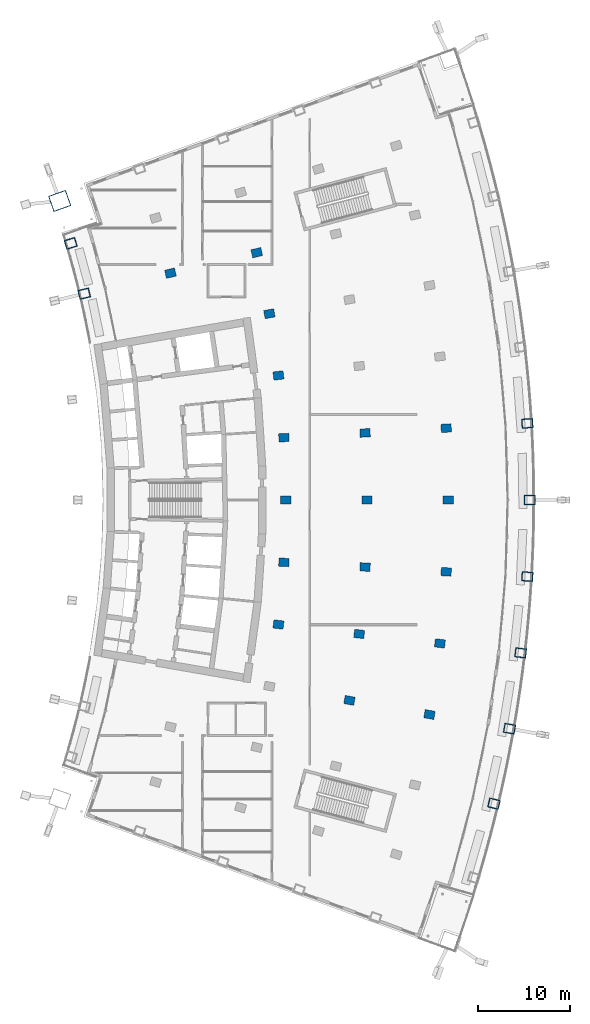
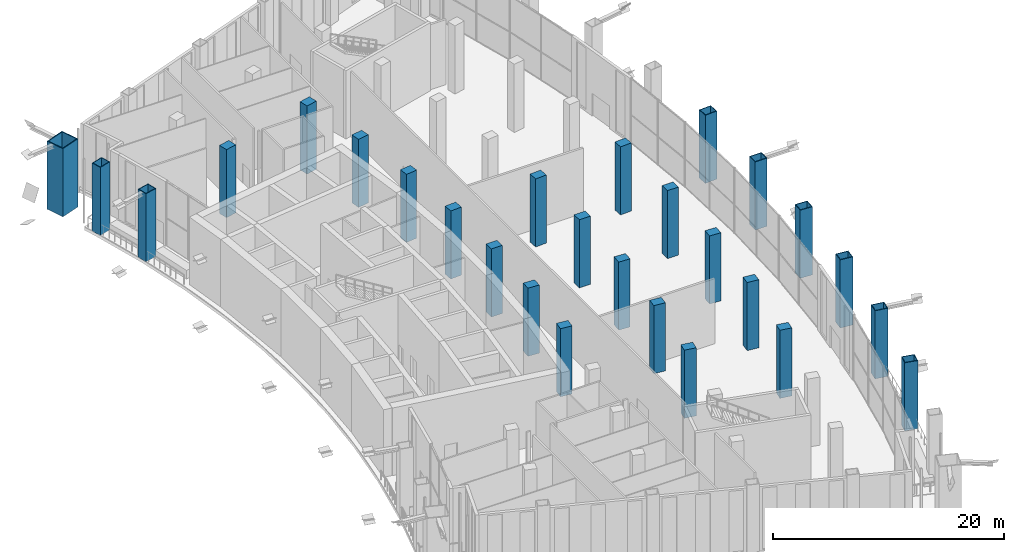
# One storey, part 5 of 27: 27 columns.
"""IFC4 building model written with IfcOpenShell, lengths in metres."""

import ifcopenshell
import ifcopenshell.guid

model = None  # the IFC model being written
_history = None  # IfcOwnerHistory: only IFC2X3 demands one
_inside = {}  # id of a spatial element -> (the spatial element, [elements in it])
_under = {}  # id of a project, library or spatial element -> (it, [spatial elements below it])
_declared = {}  # id of a project -> (the project, [libraries it declares])
_typed = {}  # id of a type object -> (the type object, [elements of that type])
_made_of = {}  # id of a material, layer set ... -> (it, [elements and type objects made of it])


def new_model(schema):
    """Start an empty IFC model of exactly this schema.

    Asked for "IFC4X3", IfcOpenShell would pick the latest addendum, in which some entities
    have other attributes; the version numbers below select the first issue.
    IFC2X3 requires an IfcOwnerHistory on every rooted entity: one is made here for all.
    """
    global model, _history
    if schema == "IFC4X3":
        model = ifcopenshell.file(schema_version=(4, 3, 0, 0))
    else:
        model = ifcopenshell.file(schema=schema)
    _inside.clear()
    _under.clear()
    _declared.clear()
    _typed.clear()
    _made_of.clear()
    _history = None
    if model.schema == "IFC2X3":
        org = make("IfcOrganization", Name="unknown")
        user = make(
            "IfcPersonAndOrganization",
            ThePerson=make("IfcPerson", FamilyName="unknown"),
            TheOrganization=org,
        )
        app = make(
            "IfcApplication",
            ApplicationDeveloper=org,
            Version="unknown",
            ApplicationFullName="unknown",
            ApplicationIdentifier="unknown",
        )
        _history = make(
            "IfcOwnerHistory",
            OwningUser=user,
            OwningApplication=app,
            ChangeAction="ADDED",
            CreationDate=0,
        )
    return model


def make(cls, **values):
    """One entity of the class cls with the attributes given. An attribute that is None is left unset."""
    return model.create_entity(
        cls, **{name: value for name, value in values.items() if value is not None}
    )


def rooted(cls, **values):
    """An entity with a GlobalId (a new one), such as an element, a storey or a relation."""
    return make(cls, GlobalId=ifcopenshell.guid.new(), OwnerHistory=_history, **values)


def si_unit(unit_type, name, prefix=None):
    """IfcSIUnit, for example si_unit("LENGTHUNIT", "METRE", prefix="MILLI")."""
    return make("IfcSIUnit", UnitType=unit_type, Prefix=prefix, Name=name)


def assignment(units):
    """IfcUnitAssignment: the units of a project."""
    return None if units is None else make("IfcUnitAssignment", Units=units)


def point(xyz):
    """IfcCartesianPoint."""
    return None if xyz is None else make("IfcCartesianPoint", Coordinates=xyz)


def direction(xyz):
    """IfcDirection."""
    return None if xyz is None else make("IfcDirection", DirectionRatios=xyz)


def frame(location, z_axis=None, x_axis=None):
    """IfcAxis2Placement3D, a coordinate frame: its origin and axes. An axis left out is left unset."""
    return make(
        "IfcAxis2Placement3D",
        Location=point(location),
        Axis=direction(z_axis),
        RefDirection=direction(x_axis),
    )


def frame_2d(location, x_axis=None):
    """IfcAxis2Placement2D, a coordinate frame in the plane: its origin and x axis."""
    return make(
        "IfcAxis2Placement2D", Location=point(location), RefDirection=direction(x_axis)
    )


def origin():
    """The frame at (0, 0, 0) with its axes left unset."""
    return frame((0.0, 0.0, 0.0))


def origin_2d():
    """The frame at (0, 0) in the plane with its x axis left unset."""
    return frame_2d((0.0, 0.0))


def place(relative_to, where):
    """IfcLocalPlacement: puts the frame where relative to a parent placement (None: the world)."""
    return make(
        "IfcLocalPlacement", PlacementRelTo=relative_to, RelativePlacement=where
    )


def context(
    kind, dimensions, precision=None, world=None, true_north=None, identifier=None
):
    """IfcGeometricRepresentationContext, for example the 3D "Model" context."""
    return make(
        "IfcGeometricRepresentationContext",
        ContextIdentifier=identifier,
        ContextType=kind,
        CoordinateSpaceDimension=dimensions,
        Precision=precision,
        WorldCoordinateSystem=world,
        TrueNorth=true_north,
    )


def subcontext(parent, identifier, kind, view, scale=None):
    """IfcGeometricRepresentationSubContext, for example "Body" below "Model"."""
    return make(
        "IfcGeometricRepresentationSubContext",
        ContextIdentifier=identifier,
        ContextType=kind,
        ParentContext=parent,
        TargetScale=scale,
        TargetView=view,
    )


def project(units=None, contexts=None):
    """IfcProject with its units and contexts."""
    return rooted(
        "IfcProject",
        Name="project",
        RepresentationContexts=contexts,
        UnitsInContext=assignment(units),
    )


def spatial(cls, under=None, at=None, **own):
    """A site, building, storey or space (cls), placed at a placement, below another one or the project."""
    s = rooted(cls, ObjectPlacement=at, **own)
    if under is not None:
        _under.setdefault(under.id(), (under, []))[1].append(s)
    return s


def profile(cls, at=None, kind="AREA", **sizes):
    """A parametric profile (cls). Its sizes go by their IFC names, for example OverallWidth=200.0."""
    return make(cls, ProfileType=kind, Position=at, **sizes)


def rectangle(**sizes):
    """IfcRectangleProfileDef."""
    return profile("IfcRectangleProfileDef", **sizes)


def hollow_rectangle(**sizes):
    """IfcRectangleHollowProfileDef."""
    return profile("IfcRectangleHollowProfileDef", **sizes)


def extrude(swept, where, along, depth):
    """IfcExtrudedAreaSolid: the profile swept, set in the frame where, extruded along a direction by depth."""
    return make(
        "IfcExtrudedAreaSolid",
        SweptArea=swept,
        Position=where,
        ExtrudedDirection=direction(along),
        Depth=depth,
    )


def shape(context_of_items, identifier, shape_type, items):
    """IfcShapeRepresentation: the items that make up one representation, for example the "Body"."""
    return make(
        "IfcShapeRepresentation",
        ContextOfItems=context_of_items,
        RepresentationIdentifier=identifier,
        RepresentationType=shape_type,
        Items=items,
    )


def material(Name=None, Category=None):
    """IfcMaterial."""
    return make("IfcMaterial", Name=Name, Category=Category)


def material_profile(
    of_material, cross_section, Name=None, Category=None, Priority=None
):
    """IfcMaterialProfile: a cross section and its material."""
    return make(
        "IfcMaterialProfile",
        Name=Name,
        Material=of_material,
        Profile=cross_section,
        Priority=Priority,
        Category=Category,
    )


def profile_set(profiles, Name=None, composite=None):
    """IfcMaterialProfileSet."""
    return make(
        "IfcMaterialProfileSet",
        Name=Name,
        MaterialProfiles=profiles,
        CompositeProfile=composite,
    )


def made_of(thing, what):
    """Note that an element or type object is made of a material, layer set ...; save() writes the relation."""
    if what is not None:
        _made_of.setdefault(what.id(), (what, []))[1].append(thing)
    return thing


def type_object(cls, material=None, **own):
    """A type object (cls), such as IfcWallType, which elements share."""
    return made_of(rooted(cls, **own), material)


def element(
    cls,
    number,
    at=None,
    inside=None,
    cuts=None,
    type_object=None,
    material=None,
    context=None,
    identifier="Body",
    shape_type=None,
    held_by="IfcProductDefinitionShape",
    body=None,
    shapes=None,
    **own,
):
    """One element of the class cls, such as IfcWall. Its Tag is "e" and its number.

    at: its placement. inside: the storey or other place that contains it. cuts: it is an
    opening in that element (IfcRelVoidsElement). A single representation is given by context,
    identifier, shape_type and body (its items); several are given by shapes. held_by: the class
    of the entity that holds the representations. save() writes the other relations.
    """
    e = rooted(cls, Tag="e%d" % number, ObjectPlacement=at, **own)
    if body is not None:
        shapes = [shape(context, identifier, shape_type, body)]
    if shapes is not None:
        e.Representation = make(held_by, Representations=shapes)
    if inside is not None:
        _inside.setdefault(inside.id(), (inside, []))[1].append(e)
    if cuts is not None:
        rooted(
            "IfcRelVoidsElement", RelatingBuildingElement=cuts, RelatedOpeningElement=e
        )
    if type_object is not None:
        _typed.setdefault(type_object.id(), (type_object, []))[1].append(e)
    return made_of(e, material)


def aggregate(whole, parts):
    """IfcRelAggregates: a whole, such as a stair, and the parts it consists of."""
    return rooted("IfcRelAggregates", RelatingObject=whole, RelatedObjects=parts)


def save(model, path):
    """Write the relations noted so far, then the file.

    IfcRelAggregates (storeys below a building ...), IfcRelContainedInSpatialStructure (elements
    in a storey), IfcRelDefinesByType, IfcRelAssociatesMaterial and IfcRelDeclares: one each for
    every whole, place, type object, material and project.
    """
    for whole, parts in _under.values():
        aggregate(whole, parts)
    for where, things in _inside.values():
        rooted(
            "IfcRelContainedInSpatialStructure",
            RelatedElements=things,
            RelatingStructure=where,
        )
    for kind, things in _typed.values():
        rooted("IfcRelDefinesByType", RelatedObjects=things, RelatingType=kind)
    for what, things in _made_of.values():
        rooted("IfcRelAssociatesMaterial", RelatedObjects=things, RelatingMaterial=what)
    for by, libraries in _declared.values():
        rooted("IfcRelDeclares", RelatingContext=by, RelatedDefinitions=libraries)
    model.write(path)


model = new_model("IFC4")

# Units and contexts
model_context = context("Model", 3, precision=1e-05, world=origin(), true_north=direction((0.0, 1.0)))
body_context = subcontext(model_context, "Body", "Model", "MODEL_VIEW")
ifc_project = project(units=[si_unit("LENGTHUNIT", "METRE"), si_unit("AREAUNIT", "SQUARE_METRE"), si_unit("VOLUMEUNIT", "CUBIC_METRE"), si_unit("PLANEANGLEUNIT", "RADIAN"), si_unit("MASSUNIT", "GRAM", prefix="KILO")], contexts=[model_context])

# Site, building, storey
site_placement = place(None, origin())
site = spatial("IfcSite", under=ifc_project, at=site_placement, CompositionType="ELEMENT")
building_placement = place(site_placement, origin())
building = spatial("IfcBuilding", under=site, at=building_placement, Name="Alderwake Tower", CompositionType="ELEMENT")
storey_placement = place(building_placement, frame((0.0, 0.0, 75.199951171875)))
storey = spatial("IfcBuildingStorey", under=building, at=storey_placement, Name="L18", CompositionType="ELEMENT", Elevation=75.199951171875)

# Columns
ifc_material_1 = material(Name="Concrete C70/85", Category="concrete")
ifc_material_profile_1 = material_profile(ifc_material_1, rectangle(XDim=0.89990234375, YDim=1.10009765625, at=origin_2d()), Name="RC 1100X900")
ifc_profile_set_1 = profile_set([ifc_material_profile_1], Name="Concrete C70/85")
column_type_1 = type_object("IfcColumnType", Name="Interior column Z1", PredefinedType="COLUMN", material=ifc_profile_set_1)
for number, where, z_axis, x_axis, name in (
    (1, (42.697021484375, 39.30615234375, 0.0), (0.0, 0.0, 1.0), (0.174108800747, 0.984726421654, 0.0), "Column R04-C3"),
    (2, (51.362548828125, 37.77392578125, 0.0), (0.0, 0.0, 1.0), (0.174108800747, 0.984726421654, 0.0), "Column R04-C4"),
    (3, (35.0126953125, 47.5205078125, 0.0), (0.0, 0.0, 1.0), (0.116402054316, 0.993202175668, 0.0), "Column R05-C2"),
    (4, (43.7529296875, 46.496337890625, 0.0), (0.0, 0.0, 1.0), (0.116402054316, 0.993202175668, 0.0), "Column R05-C3"),
    (5, (52.4931640625, 45.471923828125, 0.0), (0.0, 0.0, 1.0), (0.116402054316, 0.993202175668, 0.0), "Column R05-C4"),
    (6, (35.60302734375, 54.248779296875, 0.0), (0.0, 0.0, 1.0), (0.058301061284, 0.998299046505, 0.0), "Column R06-C2"),
    (7, (44.38818359375, 53.73583984375, 0.0), (0.0, 0.0, 1.0), (0.058299318924, 0.998299148258, 0.0), "Column R06-C3"),
    (8, (53.173095703125, 53.22265625, 0.0), (0.0, 0.0, 1.0), (0.058301061284, 0.998299046505, 0.0), "Column R06-C4"),
    (9, (35.800048828125, 61.0, 0.0), (0.0, 0.0, 1.0), (0.0, 1.0, 0.0), "Column R07-C2"),
    (10, (44.60009765625, 61.0, 0.0), (0.0, 0.0, 1.0), (0.0, 1.0, 0.0), "Column R07-C3"),
    (11, (53.39990234375, 61.0, 0.0), (0.0, 0.0, 1.0), (0.0, 1.0, 0.0), "Column R07-C4"),
    (12, (35.60302734375, 67.751220703125, 0.0), (0.0, 0.0, 1.0), (-0.058301061284, 0.998299046505, 0.0), "Column R08-C2"),
    (13, (44.38818359375, 68.26416015625, 0.0), (0.0, 0.0, 1.0), (-0.058299318924, 0.998299148258, 0.0), "Column R08-C3"),
    (14, (53.173095703125, 68.77734375, 0.0), (0.0, 0.0, 1.0), (-0.058301061284, 0.998299046505, 0.0), "Column R08-C4"),
    (15, (35.0126953125, 74.4794921875, 0.0), (0.0, 0.0, 1.0), (-0.116402054316, 0.993202175668, 0.0), "Column R09-C2"),
    (16, (34.03125, 81.16162109375, 0.0), (0.0, 0.0, 1.0), (-0.174108800747, 0.984726421654, 0.0), "Column R10-C2"),
    (17, (23.322021484375, 85.555908203125, 0.0), (0.0, 0.0, 1.0), (-0.231221547198, 0.972901123502, 0.0), "Column R11-C1"),
    (18, (32.661865234375, 87.775390625, 0.0), (0.0, 0.0, 1.0), (-0.231221547198, 0.972901123502, 0.0), "Column R11-C2"),
):
    element("IfcColumn", number, at=place(storey_placement, frame(where, z_axis=z_axis, x_axis=x_axis)), inside=storey, type_object=column_type_1, Name=name, PredefinedType="COLUMN", context=body_context, shape_type="SweptSolid", body=[
        extrude(rectangle(XDim=0.89990234375, YDim=1.10009765625, at=origin_2d()), origin(), (0.0, 0.0, 1.0), 7.199951171875),
    ])
ifc_material_2 = material(Name="Steel ASTM A572 Grade 50 concrete filled C70/85", Category="concrete")
ifc_material_profile_2 = material_profile(ifc_material_2, hollow_rectangle(XDim=1.800048828125, YDim=2.0, WallThickness=0.090087890625, at=origin_2d()), Name="BOX 2000X1800X90")
ifc_profile_set_2 = profile_set([ifc_material_profile_2], Name="Steel ASTM A572 Grade 50 concrete filled C70/85")
column_type_2 = type_object("IfcColumnType", Name="Mega column Z1", PredefinedType="COLUMN", material=ifc_profile_set_2)
column_placement = place(storey_placement, frame((11.330810546875, 93.377197265625, 0.0), z_axis=(0.0, 0.0, 1.0), x_axis=(-0.334130947791, 0.942526662609, 0.0)))
element("IfcColumn", 19, at=column_placement, inside=storey, type_object=column_type_2, Name="Column R13-C0", PredefinedType="COLUMN", context=body_context, shape_type="SweptSolid", body=[
    extrude(hollow_rectangle(XDim=1.800048828125, YDim=2.0, WallThickness=0.090087890625, at=origin_2d()), origin(), (0.0, 0.0, 1.0), 7.199951171875),
])
ifc_material_3 = material(Name="Steel ASTM A572 Grade 50 concrete filled C70/85", Category="concrete")
ifc_material_profile_3 = material_profile(ifc_material_3, hollow_rectangle(XDim=1.0, YDim=1.199951171875, WallThickness=0.06005859375, at=origin_2d()), Name="BOX 1200X1000X60")
ifc_profile_set_3 = profile_set([ifc_material_profile_3], Name="Steel ASTM A572 Grade 50 concrete filled C70/85")
column_type_3 = type_object("IfcColumnType", Name="Perimeter column Z1", PredefinedType="COLUMN", material=ifc_profile_set_3)
for number, where, z_axis, x_axis, name in (
    (20, (58.346435546875, 28.120361328125, 0.0), (0.0, 0.0, 1.0), (0.231221547198, 0.972901123502, 0.0), "Column R03-C5"),
    (21, (60.028076171875, 36.24169921875, 0.0), (0.0, 0.0, 1.0), (0.174108800747, 0.984726421654, 0.0), "Column R04-C5"),
    (22, (61.2333984375, 44.447509765625, 0.0), (0.0, 0.0, 1.0), (0.116402054316, 0.993202175668, 0.0), "Column R05-C5"),
    (23, (61.9580078125, 52.709716796875, 0.0), (0.0, 0.0, 1.0), (0.058301061284, 0.998299046505, 0.0), "Column R06-C5"),
    (24, (62.199951171875, 61.0, 0.0), (0.0, 0.0, 1.0), (0.0, 1.0, 0.0), "Column R07-C5"),
    (25, (61.9580078125, 69.290283203125, 0.0), (0.0, 0.0, 1.0), (-0.058301061284, 0.998299046505, 0.0), "Column R08-C5"),
    (26, (13.982177734375, 83.3359375, 0.0), (0.0, 0.0, 1.0), (-0.231221547198, 0.972901123502, 0.0), "Column R11-C0"),
    (27, (12.520263671875, 88.777099609375, 0.0), (0.0, 0.0, 1.0), (-0.287549418125, 0.957765802342, 0.0), "Column R12-C0"),
):
    element("IfcColumn", number, at=place(storey_placement, frame(where, z_axis=z_axis, x_axis=x_axis)), inside=storey, type_object=column_type_3, Name=name, PredefinedType="COLUMN", context=body_context, shape_type="SweptSolid", body=[
        extrude(hollow_rectangle(XDim=1.0, YDim=1.199951171875, WallThickness=0.06005859375, at=origin_2d()), origin(), (0.0, 0.0, 1.0), 7.199951171875),
    ])

save(model, "model.ifc")
